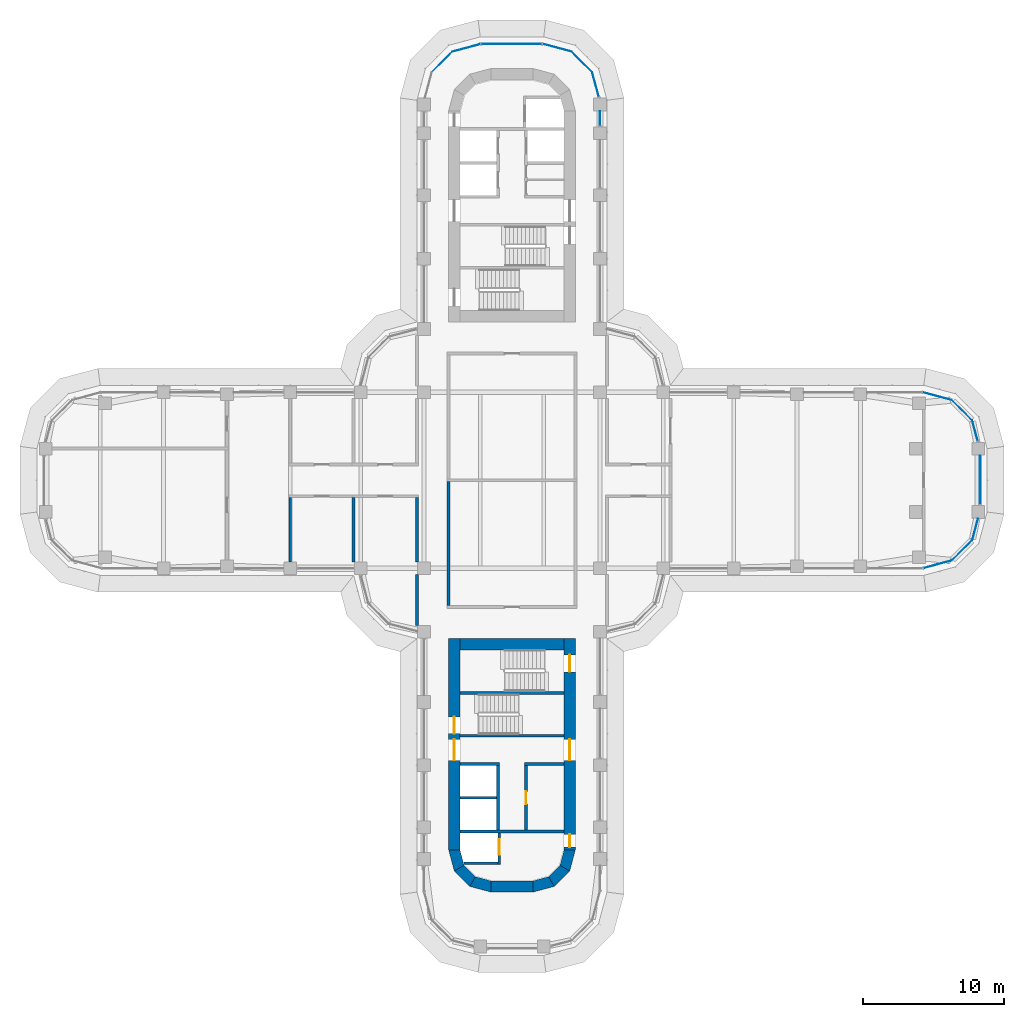
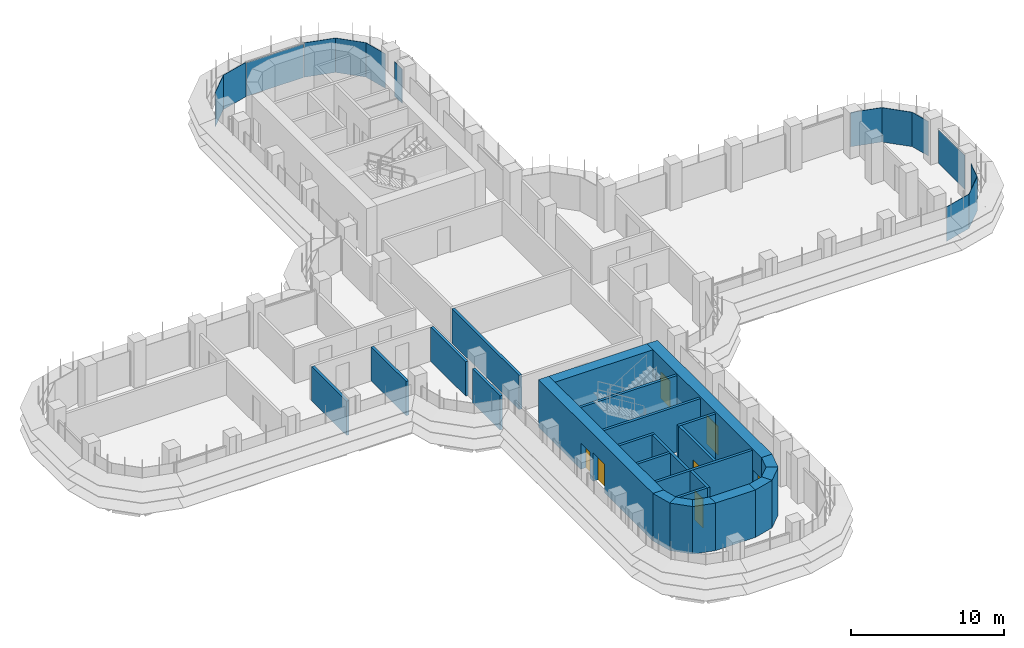
# One storey, part 15 of 21: 25 walls, 14 plates, 7 doors, 7 openings, 14 elements without a shape of their own.
"""IFC4 building model written with IfcOpenShell, lengths in metres."""

from ifc_helpers import new_model, si_unit, direction, frame, frame_2d, origin, place, context, subcontext, project, spatial, polyline, rectangle, outline, extrude, source, transform, mapped, material, layer, layer_set, type_object, element, fill, aggregate, save


model = new_model("IFC4")

# Units and contexts
model_context = context("Model", 3, precision=1e-05, world=origin(), true_north=direction((0.0, 1.0)))
body_context = subcontext(model_context, "Body", "Model", "MODEL_VIEW")
ifc_project = project(units=[si_unit("LENGTHUNIT", "METRE"), si_unit("AREAUNIT", "SQUARE_METRE"), si_unit("VOLUMEUNIT", "CUBIC_METRE"), si_unit("PLANEANGLEUNIT", "RADIAN"), si_unit("MASSUNIT", "GRAM", prefix="KILO")], contexts=[model_context])

# Site, building, storey
site_placement = place(None, origin())
site = spatial("IfcSite", under=ifc_project, at=site_placement, CompositionType="ELEMENT")
building_placement = place(site_placement, origin())
building = spatial("IfcBuilding", under=site, at=building_placement, Name="Zarbagh Exchange Tower", CompositionType="ELEMENT")
storey_placement = place(building_placement, frame((0.0, 0.0, 117.0)))
storey = spatial("IfcBuildingStorey", under=building, at=storey_placement, Name="L27", CompositionType="ELEMENT", Elevation=117.0)

# Curtain wall, plate
ifc_material_1 = material(Name="Anodised aluminium frame and glazing", Category="aluminium")
curtain_wall_type = type_object("IfcCurtainWallType", Name="CWA Ribbon glazing, lower zones", PredefinedType="NOTDEFINED", material=ifc_material_1)
curtain_wall_1_placement = place(storey_placement, origin())
curtain_wall_1 = element("IfcCurtainWall", 1, at=curtain_wall_1_placement, inside=storey, type_object=curtain_wall_type, Name="CWA13 curtain wall", PredefinedType="NOTDEFINED")
ifc_material_2 = material(Name="Low-e double glazed unit, 6+12+6 mm")
ifc_layer_1 = layer(ifc_material_2, 0.028076171875)
ifc_layer_set_1 = layer_set([ifc_layer_1], Name="PAA Glazing panel, Low-e double glazed unit, 6+12+6 mm")
plate_type = type_object("IfcPlateType", Name="PAA Glazing panel, Low-e double glazed unit, 6+12+6 mm", PredefinedType="CURTAIN_PANEL", material=ifc_layer_set_1)
shared_shape_1 = source(origin(), body_context, "Body", "SweptSolid", [
    extrude(outline(polyline([(0.0, -0.013916015625), (1.494140625, -0.013916015625), (1.494140625, 0.013916015625), (0.0, 0.013916015625), (0.0, -0.013916015625)])), origin(), (0.0, 0.0, 1.0), 2.75),
])
placement = place(storey_placement, origin())
plate_1 = element("IfcPlate", 2, at=placement, type_object=plate_type, Name="CWA13 glazing panel 1.1", PredefinedType="CURTAIN_PANEL", context=body_context, shape_type="MappedRepresentation", body=[
    mapped(shared_shape_1, transform((33.08544921875, 2.7978515625, 0.0), x_axis=(-0.258824779902, 0.965924289636, 0.0), y_axis=(-0.965924289636, -0.258824779902, 0.0), z_axis=(0.0, 0.0, 1.0))),
])
aggregate(curtain_wall_1, [plate_1])

curtain_wall_2_placement = place(storey_placement, origin())
curtain_wall_2 = element("IfcCurtainWall", 3, at=curtain_wall_2_placement, inside=storey, type_object=curtain_wall_type, Name="CWA10 curtain wall", PredefinedType="NOTDEFINED")
shared_shape_2 = source(origin(), body_context, "Body", "SweptSolid", [
    extrude(outline(polyline([(0.0, -0.013916015625), (2.061279296875, -0.013916015625), (2.061279296875, 0.013916015625), (0.0, 0.013916015625), (0.0, -0.013916015625)])), origin(), (0.0, 0.0, 1.0), 2.75),
])
plate_2 = element("IfcPlate", 4, at=placement, type_object=plate_type, Name="CWA10 glazing panel 1.1", PredefinedType="CURTAIN_PANEL", context=body_context, shape_type="MappedRepresentation", body=[
    mapped(shared_shape_2, transform((31.2412109375, -5.69873046875, 0.0), x_axis=(0.707106781187, 0.707106781187, 0.0), y_axis=(-0.707106781187, 0.707106781187, 0.0), z_axis=(0.0, 0.0, 1.0))),
])
aggregate(curtain_wall_2, [plate_2])

curtain_wall_3_placement = place(storey_placement, origin())
curtain_wall_3 = element("IfcCurtainWall", 5, at=curtain_wall_3_placement, inside=storey, type_object=curtain_wall_type, Name="CWA14 curtain wall", PredefinedType="NOTDEFINED")
plate_3 = element("IfcPlate", 6, at=placement, type_object=plate_type, Name="CWA14 glazing panel 1.1", PredefinedType="CURTAIN_PANEL", context=body_context, shape_type="MappedRepresentation", body=[
    mapped(shared_shape_2, transform((32.69873046875, 4.2412109375, 0.0), x_axis=(-0.707106781187, 0.707106781187, 0.0), y_axis=(-0.707106781187, -0.707106781187, 0.0), z_axis=(0.0, 0.0, 1.0))),
])
aggregate(curtain_wall_3, [plate_3])

curtain_wall_4_placement = place(storey_placement, origin())
curtain_wall_4 = element("IfcCurtainWall", 7, at=curtain_wall_4_placement, inside=storey, type_object=curtain_wall_type, Name="CWA51 curtain wall", PredefinedType="NOTDEFINED")
plate_4 = element("IfcPlate", 8, at=placement, type_object=plate_type, Name="CWA51 glazing panel 1.1", PredefinedType="CURTAIN_PANEL", context=body_context, shape_type="MappedRepresentation", body=[
    mapped(shared_shape_2, transform((5.69873046875, 28.9912109375, 0.0), x_axis=(-0.707106781187, 0.707106781187, 0.0), y_axis=(-0.707106781187, -0.707106781187, 0.0), z_axis=(0.0, 0.0, 1.0))),
])
aggregate(curtain_wall_4, [plate_4])

curtain_wall_5_placement = place(storey_placement, origin())
curtain_wall_5 = element("IfcCurtainWall", 9, at=curtain_wall_5_placement, inside=storey, type_object=curtain_wall_type, Name="CWA54 curtain wall", PredefinedType="NOTDEFINED")
plate_5 = element("IfcPlate", 10, at=placement, type_object=plate_type, Name="CWA54 glazing panel 1.1", PredefinedType="CURTAIN_PANEL", context=body_context, shape_type="MappedRepresentation", body=[
    mapped(shared_shape_2, transform((-4.2412109375, 30.44873046875, 0.0), x_axis=(-0.707106781187, -0.707106781187, 0.0), y_axis=(0.707106781187, -0.707106781187, 0.0), z_axis=(0.0, 0.0, 1.0))),
])
aggregate(curtain_wall_5, [plate_5])

curtain_wall_6_placement = place(storey_placement, origin())
curtain_wall_6 = element("IfcCurtainWall", 11, at=curtain_wall_6_placement, inside=storey, type_object=curtain_wall_type, Name="CWA15 curtain wall", PredefinedType="NOTDEFINED")
shared_shape_3 = source(origin(), body_context, "Body", "SweptSolid", [
    extrude(outline(polyline([(0.0, -0.013916015625), (2.129638671875, -0.013916015625), (2.129638671875, 0.013916015625), (0.0, 0.013916015625), (0.0, -0.013916015625)])), origin(), (0.0, 0.0, 1.0), 2.75),
])
plate_6 = element("IfcPlate", 12, at=placement, type_object=plate_type, Name="CWA15 glazing panel 1.1", PredefinedType="CURTAIN_PANEL", context=body_context, shape_type="MappedRepresentation", body=[
    mapped(shared_shape_3, transform((31.2412109375, 5.69873046875, 0.0), x_axis=(-0.965924289636, 0.258824779902, 0.0), y_axis=(-0.258824779902, -0.965924289636, 0.0), z_axis=(0.0, 0.0, 1.0))),
])
aggregate(curtain_wall_6, [plate_6])

curtain_wall_7_placement = place(storey_placement, origin())
curtain_wall_7 = element("IfcCurtainWall", 13, at=curtain_wall_7_placement, inside=storey, type_object=curtain_wall_type, Name="CWA52 curtain wall", PredefinedType="NOTDEFINED")
plate_7 = element("IfcPlate", 14, at=placement, type_object=plate_type, Name="CWA52 glazing panel 1.1", PredefinedType="CURTAIN_PANEL", context=body_context, shape_type="MappedRepresentation", body=[
    mapped(shared_shape_3, transform((4.2412109375, 30.44873046875, 0.0), x_axis=(-0.965924289636, 0.258824779902, 0.0), y_axis=(-0.258824779902, -0.965924289636, 0.0), z_axis=(0.0, 0.0, 1.0))),
])
aggregate(curtain_wall_7, [plate_7])

curtain_wall_8_placement = place(storey_placement, origin())
curtain_wall_8 = element("IfcCurtainWall", 15, at=curtain_wall_8_placement, inside=storey, type_object=curtain_wall_type, Name="CWA09 curtain wall", PredefinedType="NOTDEFINED")
shared_shape_4 = source(origin(), body_context, "Body", "SweptSolid", [
    extrude(outline(polyline([(0.0, -0.013916015625), (2.069580078125, -0.013916015625), (2.069580078125, 0.013916015625), (0.0, 0.013916015625), (0.0, -0.013916015625)])), origin(), (0.0, 0.0, 1.0), 2.75),
])
plate_8 = element("IfcPlate", 16, at=placement, type_object=plate_type, Name="CWA09 glazing panel 1.1", PredefinedType="CURTAIN_PANEL", context=body_context, shape_type="MappedRepresentation", body=[
    mapped(shared_shape_4, transform((29.2421875, -6.234375, 0.0), x_axis=(0.965924289636, 0.258824779902, 0.0), y_axis=(-0.258824779902, 0.965924289636, 0.0), z_axis=(0.0, 0.0, 1.0))),
])
aggregate(curtain_wall_8, [plate_8])

curtain_wall_9_placement = place(storey_placement, origin())
curtain_wall_9 = element("IfcCurtainWall", 17, at=curtain_wall_9_placement, inside=storey, type_object=curtain_wall_type, Name="CWA53 curtain wall", PredefinedType="NOTDEFINED")
plate_9 = element("IfcPlate", 18, at=placement, type_object=plate_type, Name="CWA53 glazing panel 1.1", PredefinedType="CURTAIN_PANEL", context=body_context, shape_type="MappedRepresentation", body=[
    mapped(shared_shape_4, transform((-2.2421875, 30.984375, 0.0), x_axis=(-0.965924289636, -0.258824779902, 0.0), y_axis=(0.258824779902, -0.965924289636, 0.0), z_axis=(0.0, 0.0, 1.0))),
])
aggregate(curtain_wall_9, [plate_9])

curtain_wall_10_placement = place(storey_placement, origin())
curtain_wall_10 = element("IfcCurtainWall", 19, at=curtain_wall_10_placement, inside=storey, type_object=curtain_wall_type, Name="CWA11 curtain wall", PredefinedType="NOTDEFINED")
shared_shape_5 = source(origin(), body_context, "Body", "SweptSolid", [
    extrude(outline(polyline([(0.0, -0.013916015625), (1.55419921875, -0.013916015625), (1.55419921875, 0.013916015625), (0.0, 0.013916015625), (0.0, -0.013916015625)])), origin(), (0.0, 0.0, 1.0), 2.75),
])
plate_10 = element("IfcPlate", 20, at=placement, type_object=plate_type, Name="CWA11 glazing panel 1.1", PredefinedType="CURTAIN_PANEL", context=body_context, shape_type="MappedRepresentation", body=[
    mapped(shared_shape_5, transform((32.69873046875, -4.2412109375, 0.0), x_axis=(0.258824779902, 0.965924289636, 0.0), y_axis=(-0.965924289636, 0.258824779902, 0.0), z_axis=(0.0, 0.0, 1.0))),
])
aggregate(curtain_wall_10, [plate_10])

curtain_wall_11_placement = place(storey_placement, origin())
curtain_wall_11 = element("IfcCurtainWall", 21, at=curtain_wall_11_placement, inside=storey, type_object=curtain_wall_type, Name="CWA12 curtain wall", PredefinedType="NOTDEFINED")
shared_shape_6 = source(origin(), body_context, "Body", "SweptSolid", [
    extrude(outline(polyline([(0.0, -0.013916015625), (3.4599609375, -0.013916015625), (3.4599609375, 0.013916015625), (0.0, 0.013916015625), (0.0, -0.013916015625)])), origin(), (0.0, 0.0, 1.0), 2.68994140625),
])
plate_11 = element("IfcPlate", 22, at=placement, type_object=plate_type, Name="CWA12 glazing panel 1.1", PredefinedType="CURTAIN_PANEL", context=body_context, shape_type="MappedRepresentation", body=[
    mapped(shared_shape_6, transform((33.25, -1.699951171875, 0.0), x_axis=(0.0, 1.0, 0.0), y_axis=(-1.0, 0.0, 0.0), z_axis=(0.0, 0.0, 1.0))),
])
aggregate(curtain_wall_11, [plate_11])

curtain_wall_12_placement = place(storey_placement, origin())
curtain_wall_12 = element("IfcCurtainWall", 23, at=curtain_wall_12_placement, inside=storey, type_object=curtain_wall_type, Name="CWA49 curtain wall", PredefinedType="NOTDEFINED")
shared_shape_7 = source(origin(), body_context, "Body", "SweptSolid", [
    extrude(outline(polyline([(0.0, -0.013916015625), (1.010009765625, -0.013916015625), (1.010009765625, 0.013916015625), (0.0, 0.013916015625), (0.0, -0.013916015625)])), origin(), (0.0, 0.0, 1.0), 2.75),
])
plate_12 = element("IfcPlate", 24, at=placement, type_object=plate_type, Name="CWA49 glazing panel 4.1", PredefinedType="CURTAIN_PANEL", context=body_context, shape_type="MappedRepresentation", body=[
    mapped(shared_shape_7, transform((6.25, 25.199951171875, 0.0), x_axis=(0.0, 1.0, 0.0), y_axis=(-1.0, 0.0, 0.0), z_axis=(0.0, 0.0, 1.0))),
])
aggregate(curtain_wall_12, [plate_12])

curtain_wall_13_placement = place(storey_placement, origin())
curtain_wall_13 = element("IfcCurtainWall", 25, at=curtain_wall_13_placement, inside=storey, type_object=curtain_wall_type, Name="CWA50 curtain wall", PredefinedType="NOTDEFINED")
shared_shape_8 = source(origin(), body_context, "Body", "SweptSolid", [
    extrude(outline(polyline([(0.0, -0.013916015625), (1.8046875, -0.013916015625), (1.8046875, 0.013916015625), (0.0, 0.013916015625), (0.0, -0.013916015625)])), origin(), (0.0, 0.0, 1.0), 2.75),
])
plate_13 = element("IfcPlate", 26, at=placement, type_object=plate_type, Name="CWA50 glazing panel 1.1", PredefinedType="CURTAIN_PANEL", context=body_context, shape_type="MappedRepresentation", body=[
    mapped(shared_shape_8, transform((6.166015625, 27.248046875, 0.0), x_axis=(-0.258824779902, 0.965924289636, 0.0), y_axis=(-0.965924289636, -0.258824779902, 0.0), z_axis=(0.0, 0.0, 1.0))),
])
aggregate(curtain_wall_13, [plate_13])

curtain_wall_14_placement = place(storey_placement, origin())
curtain_wall_14 = element("IfcCurtainWall", 27, at=curtain_wall_14_placement, inside=storey, type_object=curtain_wall_type, Name="CWA57 curtain wall", PredefinedType="NOTDEFINED")
shared_shape_9 = source(origin(), body_context, "Body", "SweptSolid", [
    extrude(outline(polyline([(0.0, -0.013916015625), (4.308349609375, -0.013916015625), (4.308349609375, 0.013916015625), (0.0, 0.013916015625), (0.0, -0.013916015625)])), origin(), (0.0, 0.0, 1.0), 2.68994140625),
])
plate_14 = element("IfcPlate", 28, at=placement, type_object=plate_type, Name="CWA57 glazing panel 1.1", PredefinedType="CURTAIN_PANEL", context=body_context, shape_type="MappedRepresentation", body=[
    mapped(shared_shape_9, transform((2.124267578125, 31.0, 0.0), x_axis=(-1.0, 0.0, 0.0), y_axis=(0.0, -1.0, 0.0), z_axis=(0.0, 0.0, 1.0))),
])
aggregate(curtain_wall_14, [plate_14])

# Walls
ifc_material_3 = material(Name="Fire-rated plasterboard partition")
ifc_layer_2 = layer(ifc_material_3, 0.199951171875)
ifc_layer_set_2 = layer_set([ifc_layer_2], Name="RATED PARTITION 200")
wall_type_1 = type_object("IfcWallType", Name="RATED PARTITION 200", PredefinedType="PARTITIONING", material=ifc_layer_set_2)
wall_1_placement = place(storey_placement, frame((-4.5, -8.89990234375, 0.0), z_axis=(0.0, 0.0, 1.0), x_axis=(0.0, 1.0, 0.0)))
element("IfcWall", 29, at=wall_1_placement, inside=storey, type_object=wall_type_1, Name="Partition W-1002", PredefinedType="PARTITIONING", context=body_context, shape_type="SweptSolid", body=[
    extrude(rectangle(XDim=8.7998046875, YDim=0.199951171875, at=frame_2d((4.39990234375, 0.0))), origin(), (0.0, 0.0, 1.0), 2.738037109375),
])
wall_2_placement = place(storey_placement, frame((-6.75, -10.300048828125, 0.0), z_axis=(0.0, 0.0, 1.0), x_axis=(0.0, 1.0, 0.0)))
element("IfcWall", 30, at=wall_2_placement, inside=storey, type_object=wall_type_1, Name="Partition W-1005", PredefinedType="PARTITIONING", context=body_context, shape_type="SweptSolid", body=[
    extrude(rectangle(XDim=3.60009765625, YDim=0.199951171875, at=frame_2d((1.800048828125, 0.0))), origin(), (0.0, 0.0, 1.0), 2.738037109375),
])
for number, where, z_axis, x_axis, name in (
    (31, (-6.75, -5.800048828125, 0.0), (0.0, 0.0, 1.0), (0.0, 1.0, 0.0), "Partition W-1006"),
    (32, (-11.25, -5.800048828125, 0.0), (0.0, 0.0, 1.0), (0.0, 1.0, 0.0), "Partition W-1027"),
    (33, (-15.75, -5.800048828125, 0.0), (0.0, 0.0, 1.0), (0.0, 1.0, 0.0), "Partition W-1029"),
):
    element("IfcWall", number, at=place(storey_placement, frame(where, z_axis=z_axis, x_axis=x_axis)), inside=storey, type_object=wall_type_1, Name=name, PredefinedType="PARTITIONING", context=body_context, shape_type="SweptSolid", body=[
        extrude(rectangle(XDim=4.574951171875, YDim=0.199951171875, at=frame_2d((2.28759765625, 0.0))), origin(), (0.0, 0.0, 1.0), 2.738037109375),
    ])
ifc_material_4 = material(Name="Concrete C60/75", Category="concrete")
ifc_layer_3 = layer(ifc_material_4, 0.800048828125)
ifc_layer_set_3 = layer_set([ifc_layer_3], Name="RC core corner wall 800 C60/75")
wall_type_2 = type_object("IfcWallType", Name="RC core corner wall 800 C60/75", PredefinedType="SHEAR", material=ifc_layer_set_3)
wall_3_placement = place(storey_placement, origin())
element("IfcWall", 34, at=wall_3_placement, inside=storey, type_object=wall_type_2, Name="CW4 core S corner W", PredefinedType="SHEAR", context=body_context, shape_type="SweptSolid", body=[
    extrude(outline(polyline([(-4.5, -26.25), (-4.09814453125, -27.75), (-3.4052734375, -27.35009765625), (-3.699951171875, -26.25), (-4.5, -26.25)])), origin(), (0.0, 0.0, 1.0), 3.800048828125),
])
wall_4_placement = place(storey_placement, origin())
element("IfcWall", 35, at=wall_4_placement, inside=storey, type_object=wall_type_2, Name="CW4 core S corner W", PredefinedType="SHEAR", context=body_context, shape_type="SweptSolid", body=[
    extrude(outline(polyline([(-4.09814453125, -27.75), (-3.0, -28.84814453125), (-2.60009765625, -28.1552734375), (-3.4052734375, -27.35009765625), (-4.09814453125, -27.75)])), origin(), (0.0, 0.0, 1.0), 3.800048828125),
])
wall_5_placement = place(storey_placement, origin())
element("IfcWall", 36, at=wall_5_placement, inside=storey, type_object=wall_type_2, Name="CW4 core S corner W", PredefinedType="SHEAR", context=body_context, shape_type="SweptSolid", body=[
    extrude(outline(polyline([(-3.0, -28.84814453125), (-1.5, -29.25), (-1.5, -28.449951171875), (-2.60009765625, -28.1552734375), (-3.0, -28.84814453125)])), origin(), (0.0, 0.0, 1.0), 3.800048828125),
])
wall_6_placement = place(storey_placement, origin())
element("IfcWall", 37, at=wall_6_placement, inside=storey, type_object=wall_type_2, Name="CW4 core S corner E", PredefinedType="SHEAR", context=body_context, shape_type="SweptSolid", body=[
    extrude(outline(polyline([(4.5, -26.25), (4.09814453125, -27.75), (3.4052734375, -27.35009765625), (3.699951171875, -26.25), (4.5, -26.25)])), origin(), (0.0, 0.0, 1.0), 3.800048828125),
])
wall_7_placement = place(storey_placement, origin())
element("IfcWall", 38, at=wall_7_placement, inside=storey, type_object=wall_type_2, Name="CW4 core S corner E", PredefinedType="SHEAR", context=body_context, shape_type="SweptSolid", body=[
    extrude(outline(polyline([(4.09814453125, -27.75), (3.0, -28.84814453125), (2.60009765625, -28.1552734375), (3.4052734375, -27.35009765625), (4.09814453125, -27.75)])), origin(), (0.0, 0.0, 1.0), 3.800048828125),
])
wall_8_placement = place(storey_placement, origin())
element("IfcWall", 39, at=wall_8_placement, inside=storey, type_object=wall_type_2, Name="CW4 core S corner E", PredefinedType="SHEAR", context=body_context, shape_type="SweptSolid", body=[
    extrude(outline(polyline([(3.0, -28.84814453125), (1.5, -29.25), (1.5, -28.449951171875), (2.60009765625, -28.1552734375), (3.0, -28.84814453125)])), origin(), (0.0, 0.0, 1.0), 3.800048828125),
])

# Wall, openings, doors
ifc_layer_4 = layer(ifc_material_4, 0.800048828125)
ifc_layer_set_4 = layer_set([ifc_layer_4], Name="RC core wall 800 C60/75")
wall_type_3 = type_object("IfcWallType", Name="RC core wall 800 C60/75", PredefinedType="SHEAR", material=ifc_layer_set_4)
wall_9_placement = place(storey_placement, frame((-4.10009765625, -11.25, 0.0), z_axis=(0.0, 0.0, 1.0), x_axis=(0.0, -1.0, 0.0)))
wall_9 = element("IfcWall", 40, at=wall_9_placement, inside=storey, type_object=wall_type_3, Name="CW3 core S W", PredefinedType="SHEAR", context=body_context, shape_type="SweptSolid", body=[
    extrude(rectangle(XDim=15.0, YDim=0.800048828125, at=frame_2d((7.5, 0.0))), origin(), (0.0, 0.0, 1.0), 3.800048828125),
])
opening_1_placement = place(wall_9_placement, frame((7.14990234375, 0.0, 0.0)))
opening_1 = element("IfcOpeningElement", 41, at=opening_1_placement, cuts=wall_9, Name="Opening CD1-1500", PredefinedType="OPENING", context=body_context, shape_type="SweptSolid", body=[
    extrude(rectangle(XDim=1.5, YDim=2.300048828125, at=frame_2d((0.75, 1.14990234375))), frame((0.0, 0.409912109375, 0.0), z_axis=(0.0, -1.0, 0.0), x_axis=(1.0, 0.0, 0.0)), (0.0, 0.0, 1.0), 0.820068359375),
])
opening_2_placement = place(wall_9_placement, frame((5.550048828125, 0.0, 0.0)))
opening_2 = element("IfcOpeningElement", 42, at=opening_2_placement, cuts=wall_9, Name="Opening SD1-1200", PredefinedType="OPENING", context=body_context, shape_type="SweptSolid", body=[
    extrude(rectangle(XDim=1.199951171875, YDim=2.10009765625, at=frame_2d((0.60009765625, 1.050048828125))), frame((0.0, 0.409912109375, 0.0), z_axis=(0.0, -1.0, 0.0), x_axis=(1.0, 0.0, 0.0)), (0.0, 0.0, 1.0), 0.820068359375),
])
ifc_material_5 = material(Name="Steel", Category="steel")
door_type_1 = type_object("IfcDoorType", Name="Exit stair door 1200 x 2100", OperationType="NOTDEFINED", PredefinedType="DOOR", material=ifc_material_5)
door_1_placement = place(opening_2_placement, origin())
door_1 = element("IfcDoor", 43, at=door_1_placement, inside=storey, type_object=door_type_1, Name="South core stair door ST1", OperationType="SINGLE_SWING_RIGHT", OverallHeight=2.10009765625, OverallWidth=1.199951171875, PredefinedType="DOOR", context=body_context, shape_type="SweptSolid", body=[
    extrude(rectangle(XDim=1.199951171875, YDim=2.10009765625, at=frame_2d((0.60009765625, 1.050048828125))), frame((0.0, 0.02490234375, 0.0), z_axis=(0.0, -1.0, 0.0), x_axis=(1.0, 0.0, 0.0)), (0.0, 0.0, 1.0), 0.050048828125),
])
fill(opening_2, door_1)
door_type_2 = type_object("IfcDoorType", Name="Lift lobby double door 1500 x 2300", OperationType="NOTDEFINED", PredefinedType="DOOR", material=ifc_material_5)
door_2_placement = place(opening_1_placement, origin())
door_2 = element("IfcDoor", 44, at=door_2_placement, inside=storey, type_object=door_type_2, Name="South core lift lobby door LOBBY-E", OperationType="DOUBLE_DOOR_SINGLE_SWING", OverallHeight=2.300048828125, OverallWidth=1.5, PredefinedType="DOOR", context=body_context, shape_type="SweptSolid", body=[
    extrude(rectangle(XDim=1.5, YDim=2.300048828125, at=frame_2d((0.75, 1.14990234375))), frame((0.0, 0.02490234375, 0.0), z_axis=(0.0, -1.0, 0.0), x_axis=(1.0, 0.0, 0.0)), (0.0, 0.0, 1.0), 0.050048828125),
])
fill(opening_1, door_2)

wall_10_placement = place(storey_placement, frame((4.10009765625, -11.25, 0.0), z_axis=(0.0, 0.0, 1.0), x_axis=(0.0, -1.0, 0.0)))
wall_10 = element("IfcWall", 45, at=wall_10_placement, inside=storey, type_object=wall_type_3, Name="CW3 core S E", PredefinedType="SHEAR", context=body_context, shape_type="SweptSolid", body=[
    extrude(rectangle(XDim=15.0, YDim=0.800048828125, at=frame_2d((7.5, 0.0))), origin(), (0.0, 0.0, 1.0), 3.800048828125),
])
opening_3_placement = place(wall_10_placement, frame((7.14990234375, 0.0, 0.0)))
opening_3 = element("IfcOpeningElement", 46, at=opening_3_placement, cuts=wall_10, Name="Opening CD1-1500", PredefinedType="OPENING", context=body_context, shape_type="SweptSolid", body=[
    extrude(rectangle(XDim=1.5, YDim=2.300048828125, at=frame_2d((0.75, 1.14990234375))), frame((0.0, 0.409912109375, 0.0), z_axis=(0.0, -1.0, 0.0), x_axis=(1.0, 0.0, 0.0)), (0.0, 0.0, 1.0), 0.820068359375),
])
opening_4_placement = place(wall_10_placement, frame((13.89990234375, 0.0, 0.0)))
opening_4 = element("IfcOpeningElement", 47, at=opening_4_placement, cuts=wall_10, Name="Opening CD2-900", PredefinedType="OPENING", context=body_context, shape_type="SweptSolid", body=[
    extrude(rectangle(XDim=0.89990234375, YDim=2.10009765625, at=frame_2d((0.449951171875, 1.050048828125))), frame((0.0, 0.409912109375, 0.0), z_axis=(0.0, -1.0, 0.0), x_axis=(1.0, 0.0, 0.0)), (0.0, 0.0, 1.0), 0.820068359375),
])
opening_5_placement = place(wall_10_placement, frame((1.14990234375, 0.0, 0.0)))
opening_5 = element("IfcOpeningElement", 48, at=opening_5_placement, cuts=wall_10, Name="Opening SD1-1200", PredefinedType="OPENING", context=body_context, shape_type="SweptSolid", body=[
    extrude(rectangle(XDim=1.199951171875, YDim=2.10009765625, at=frame_2d((0.60009765625, 1.050048828125))), frame((0.0, 0.409912109375, 0.0), z_axis=(0.0, -1.0, 0.0), x_axis=(1.0, 0.0, 0.0)), (0.0, 0.0, 1.0), 0.820068359375),
])
door_3_placement = place(opening_5_placement, origin())
door_3 = element("IfcDoor", 49, at=door_3_placement, inside=storey, type_object=door_type_1, Name="South core stair door ST2", OperationType="SINGLE_SWING_LEFT", OverallHeight=2.10009765625, OverallWidth=1.199951171875, PredefinedType="DOOR", context=body_context, shape_type="SweptSolid", body=[
    extrude(rectangle(XDim=1.199951171875, YDim=2.10009765625, at=frame_2d((0.60009765625, 1.050048828125))), frame((0.0, 0.02490234375, 0.0), z_axis=(0.0, -1.0, 0.0), x_axis=(1.0, 0.0, 0.0)), (0.0, 0.0, 1.0), 0.050048828125),
])
fill(opening_5, door_3)
door_type_3 = type_object("IfcDoorType", Name="Firefighting lobby door 900 x 2100", OperationType="NOTDEFINED", PredefinedType="DOOR", material=ifc_material_5)
door_4_placement = place(opening_4_placement, origin())
door_4 = element("IfcDoor", 50, at=door_4_placement, inside=storey, type_object=door_type_3, Name="South core firefighting lobby door FF-W", OperationType="SINGLE_SWING_RIGHT", OverallHeight=2.10009765625, OverallWidth=0.89990234375, PredefinedType="DOOR", context=body_context, shape_type="SweptSolid", body=[
    extrude(rectangle(XDim=0.89990234375, YDim=2.10009765625, at=frame_2d((0.449951171875, 1.050048828125))), frame((0.0, 0.02490234375, 0.0), z_axis=(0.0, -1.0, 0.0), x_axis=(1.0, 0.0, 0.0)), (0.0, 0.0, 1.0), 0.050048828125),
])
fill(opening_4, door_4)
door_5_placement = place(opening_3_placement, origin())
door_5 = element("IfcDoor", 51, at=door_5_placement, inside=storey, type_object=door_type_2, Name="South core lift lobby door LOBBY-W", OperationType="DOUBLE_DOOR_SINGLE_SWING", OverallHeight=2.300048828125, OverallWidth=1.5, PredefinedType="DOOR", context=body_context, shape_type="SweptSolid", body=[
    extrude(rectangle(XDim=1.5, YDim=2.300048828125, at=frame_2d((0.75, 1.14990234375))), frame((0.0, 0.02490234375, 0.0), z_axis=(0.0, -1.0, 0.0), x_axis=(1.0, 0.0, 0.0)), (0.0, 0.0, 1.0), 0.050048828125),
])
fill(opening_3, door_5)

# Walls
wall_11_placement = place(storey_placement, frame((-3.699951171875, -11.64990234375, 0.0), z_axis=(0.0, 0.0, 1.0), x_axis=(1.0, 0.0, 0.0)))
element("IfcWall", 52, at=wall_11_placement, inside=storey, type_object=wall_type_3, Name="CW3 core S inner end", PredefinedType="SHEAR", context=body_context, shape_type="SweptSolid", body=[
    extrude(rectangle(XDim=7.39990234375, YDim=0.800048828125, at=frame_2d((3.699951171875, 0.0))), origin(), (0.0, 0.0, 1.0), 3.800048828125),
])
wall_12_placement = place(storey_placement, frame((-1.5, -28.85009765625, 0.0), z_axis=(0.0, 0.0, 1.0), x_axis=(1.0, 0.0, 0.0)))
element("IfcWall", 53, at=wall_12_placement, inside=storey, type_object=wall_type_3, Name="CW3 core S outer end", PredefinedType="SHEAR", context=body_context, shape_type="SweptSolid", body=[
    extrude(rectangle(XDim=3.0, YDim=0.800048828125, at=frame_2d((1.5, 0.0))), origin(), (0.0, 0.0, 1.0), 3.800048828125),
])
ifc_material_6 = material(Name="Dense blockwork", Category="masonry")
ifc_layer_5 = layer(ifc_material_6, 0.199951171875)
ifc_layer_set_5 = layer_set([ifc_layer_5], Name="Shaft wall 200 mm blockwork")
wall_type_4 = type_object("IfcWallType", Name="Shaft wall 200 mm blockwork", PredefinedType="PARTITIONING", material=ifc_layer_set_5)
wall_13_placement = place(storey_placement, frame((3.699951171875, -20.14990234375, 0.0), z_axis=(0.0, 0.0, 1.0), x_axis=(-1.0, 0.0, 0.0)))
element("IfcWall", 54, at=wall_13_placement, inside=storey, type_object=wall_type_4, Name="South core shaft wall AB-W", PredefinedType="PARTITIONING", context=body_context, shape_type="SweptSolid", body=[
    extrude(rectangle(XDim=2.800048828125, YDim=0.199951171875, at=frame_2d((1.39990234375, 0.0))), origin(), (0.0, 0.0, 1.0), 3.64990234375),
])

# Wall, opening, door
wall_14_placement = place(storey_placement, frame((1.0, -24.85009765625, 0.0), z_axis=(0.0, 0.0, 1.0), x_axis=(0.0, 1.0, 0.0)))
wall_14 = element("IfcWall", 55, at=wall_14_placement, inside=storey, type_object=wall_type_4, Name="South core shaft wall LW-W", PredefinedType="PARTITIONING", context=body_context, shape_type="SweptSolid", body=[
    extrude(rectangle(XDim=4.60009765625, YDim=0.199951171875, at=frame_2d((2.300048828125, 0.0))), origin(), (0.0, 0.0, 1.0), 3.64990234375),
])
opening_6_placement = place(wall_14_placement, frame((1.85009765625, 0.0, 0.0)))
opening_6 = element("IfcOpeningElement", 56, at=opening_6_placement, cuts=wall_14, Name="Opening CD3-900", PredefinedType="OPENING", context=body_context, shape_type="SweptSolid", body=[
    extrude(rectangle(XDim=0.89990234375, YDim=2.10009765625, at=frame_2d((0.449951171875, 1.050048828125))), frame((0.0, 0.10986328125, 0.0), z_axis=(0.0, -1.0, 0.0), x_axis=(1.0, 0.0, 0.0)), (0.0, 0.0, 1.0), 0.219970703125),
])
door_type_4 = type_object("IfcDoorType", Name="Core room door 900 x 2100", OperationType="NOTDEFINED", PredefinedType="DOOR", material=ifc_material_5)
door_6_placement = place(opening_6_placement, origin())
door_6 = element("IfcDoor", 57, at=door_6_placement, inside=storey, type_object=door_type_4, Name="South core Accessible WC door RD-W-0", OperationType="SINGLE_SWING_RIGHT", OverallHeight=2.10009765625, OverallWidth=0.89990234375, PredefinedType="DOOR", context=body_context, shape_type="SweptSolid", body=[
    extrude(rectangle(XDim=0.89990234375, YDim=2.10009765625, at=frame_2d((0.449951171875, 1.050048828125))), frame((0.0, 0.02490234375, 0.0), z_axis=(0.0, -1.0, 0.0), x_axis=(1.0, 0.0, 0.0)), (0.0, 0.0, 1.0), 0.050048828125),
])
fill(opening_6, door_6)

# Walls
wall_15_placement = place(storey_placement, frame((-0.89990234375, -20.14990234375, 0.0), z_axis=(0.0, 0.0, 1.0), x_axis=(-1.0, 0.0, 0.0)))
element("IfcWall", 58, at=wall_15_placement, inside=storey, type_object=wall_type_4, Name="South core shaft wall AB-E", PredefinedType="PARTITIONING", context=body_context, shape_type="SweptSolid", body=[
    extrude(rectangle(XDim=2.800048828125, YDim=0.199951171875, at=frame_2d((1.39990234375, 0.0))), origin(), (0.0, 0.0, 1.0), 3.64990234375),
])
wall_16_placement = place(storey_placement, frame((-1.0, -24.85009765625, 0.0), z_axis=(0.0, 0.0, 1.0), x_axis=(0.0, 1.0, 0.0)))
element("IfcWall", 59, at=wall_16_placement, inside=storey, type_object=wall_type_4, Name="South core shaft wall LW-E", PredefinedType="PARTITIONING", context=body_context, shape_type="SweptSolid", body=[
    extrude(rectangle(XDim=4.60009765625, YDim=0.199951171875, at=frame_2d((2.300048828125, 0.0))), origin(), (0.0, 0.0, 1.0), 3.64990234375),
])
wall_17_placement = place(storey_placement, frame((-1.10009765625, -22.550048828125, 0.0), z_axis=(0.0, 0.0, 1.0), x_axis=(-1.0, 0.0, 0.0)))
element("IfcWall", 60, at=wall_17_placement, inside=storey, type_object=wall_type_4, Name="South core shaft wall TR-E", PredefinedType="PARTITIONING", context=body_context, shape_type="SweptSolid", body=[
    extrude(rectangle(XDim=2.599853515625, YDim=0.199951171875, at=frame_2d((1.2998046875, 0.0))), origin(), (0.0, 0.0, 1.0), 3.64990234375),
])
ifc_material_7 = material(Name="Concrete C40/50", Category="concrete")
ifc_layer_6 = layer(ifc_material_7, 0.199951171875)
ifc_layer_set_6 = layer_set([ifc_layer_6], Name="Stair enclosure wall 200 mm RC C40/50")
wall_type_5 = type_object("IfcWallType", Name="Stair enclosure wall 200 mm RC C40/50", PredefinedType="SHEAR", material=ifc_layer_set_6)
wall_18_placement = place(storey_placement, frame((3.699951171875, -24.949951171875, 0.0), z_axis=(0.0, 0.0, 1.0), x_axis=(-1.0, 0.0, 0.0)))
element("IfcWall", 61, at=wall_18_placement, inside=storey, type_object=wall_type_5, Name="South core lift shaft wall FFA", PredefinedType="SHEAR", context=body_context, shape_type="SweptSolid", body=[
    extrude(rectangle(XDim=7.39990234375, YDim=0.199951171875, at=frame_2d((3.699951171875, 0.0))), origin(), (0.0, 0.0, 1.0), 3.64990234375),
])

# Wall, opening, door
wall_19_placement = place(storey_placement, frame((-0.89990234375, -27.300048828125, 0.0), z_axis=(0.0, 0.0, 1.0), x_axis=(0.0, 1.0, 0.0)))
wall_19 = element("IfcWall", 62, at=wall_19_placement, inside=storey, type_object=wall_type_5, Name="South core lift shaft wall FFL", PredefinedType="SHEAR", context=body_context, shape_type="SweptSolid", body=[
    extrude(rectangle(XDim=2.25, YDim=0.199951171875, at=frame_2d((1.125, 0.0))), origin(), (0.0, 0.0, 1.0), 3.64990234375),
])
opening_7_placement = place(wall_19_placement, frame((0.699951171875, 0.0, 0.0)))
opening_7 = element("IfcOpeningElement", 63, at=opening_7_placement, cuts=wall_19, Name="Opening LD-1100", PredefinedType="OPENING", context=body_context, shape_type="SweptSolid", body=[
    extrude(rectangle(XDim=1.10009765625, YDim=2.300048828125, at=frame_2d((0.550048828125, 1.14990234375))), frame((0.0, 0.10986328125, 0.0), z_axis=(0.0, -1.0, 0.0), x_axis=(1.0, 0.0, 0.0)), (0.0, 0.0, 1.0), 0.219970703125),
])
ifc_material_8 = material(Name="Stainless steel", Category="steel")
door_type_5 = type_object("IfcDoorType", Name="Lift landing door 1100 x 2300", OperationType="NOTDEFINED", PredefinedType="DOOR", material=ifc_material_8)
door_7_placement = place(opening_7_placement, origin())
door_7 = element("IfcDoor", 64, at=door_7_placement, inside=storey, type_object=door_type_5, Name="South core lift landing door LD-F", OperationType="DOUBLE_DOOR_SLIDING", OverallHeight=2.300048828125, OverallWidth=1.10009765625, PredefinedType="DOOR", context=body_context, shape_type="SweptSolid", body=[
    extrude(rectangle(XDim=1.10009765625, YDim=2.300048828125, at=frame_2d((0.550048828125, 1.14990234375))), frame((0.0, 0.02490234375, 0.0), z_axis=(0.0, -1.0, 0.0), x_axis=(1.0, 0.0, 0.0)), (0.0, 0.0, 1.0), 0.050048828125),
])
fill(opening_7, door_7)

# Walls
wall_20_placement = place(storey_placement, origin())
element("IfcWall", 65, at=wall_20_placement, inside=storey, type_object=wall_type_5, Name="South core lift shaft wall FFX", PredefinedType="SHEAR", context=body_context, shape_type="SweptSolid", body=[
    extrude(outline(polyline([(-1.0, -27.10009765625), (-3.444091796875, -27.10009765625), (-3.390380859375, -27.300048828125), (-1.0, -27.300048828125), (-1.0, -27.10009765625)])), origin(), (0.0, 0.0, 1.0), 3.64990234375),
])
for number, where, z_axis, x_axis, name in (
    (66, (3.699951171875, -18.14990234375, 0.0), (0.0, 0.0, 1.0), (-1.0, 0.0, 0.0), "South core stair wall BS"),
    (67, (3.699951171875, -15.10009765625, 0.0), (0.0, 0.0, 1.0), (-1.0, 0.0, 0.0), "South core stair wall ST12"),
):
    element("IfcWall", number, at=place(storey_placement, frame(where, z_axis=z_axis, x_axis=x_axis)), inside=storey, type_object=wall_type_5, Name=name, PredefinedType="SHEAR", context=body_context, shape_type="SweptSolid", body=[
        extrude(rectangle(XDim=7.39990234375, YDim=0.199951171875, at=frame_2d((3.699951171875, 0.0))), origin(), (0.0, 0.0, 1.0), 3.64990234375),
    ])

save(model, "model.ifc")
